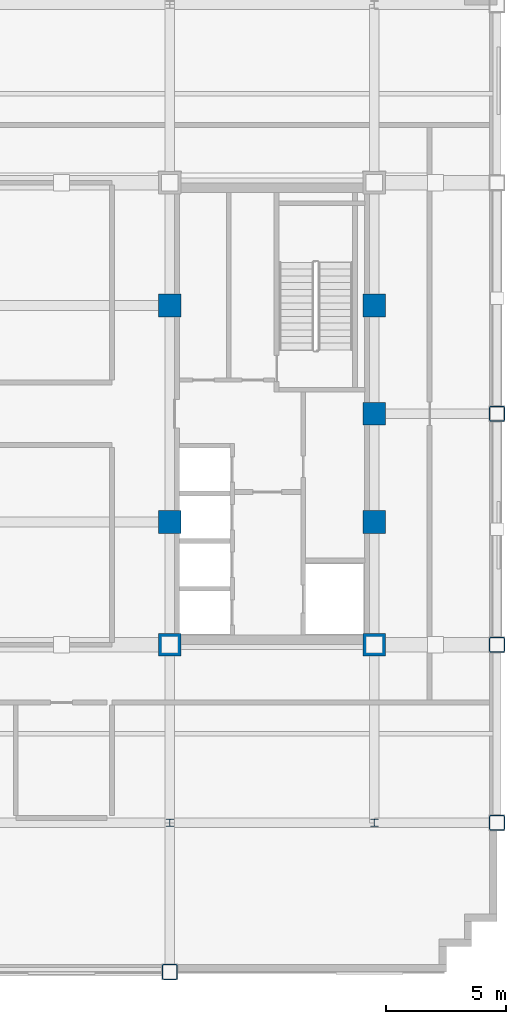
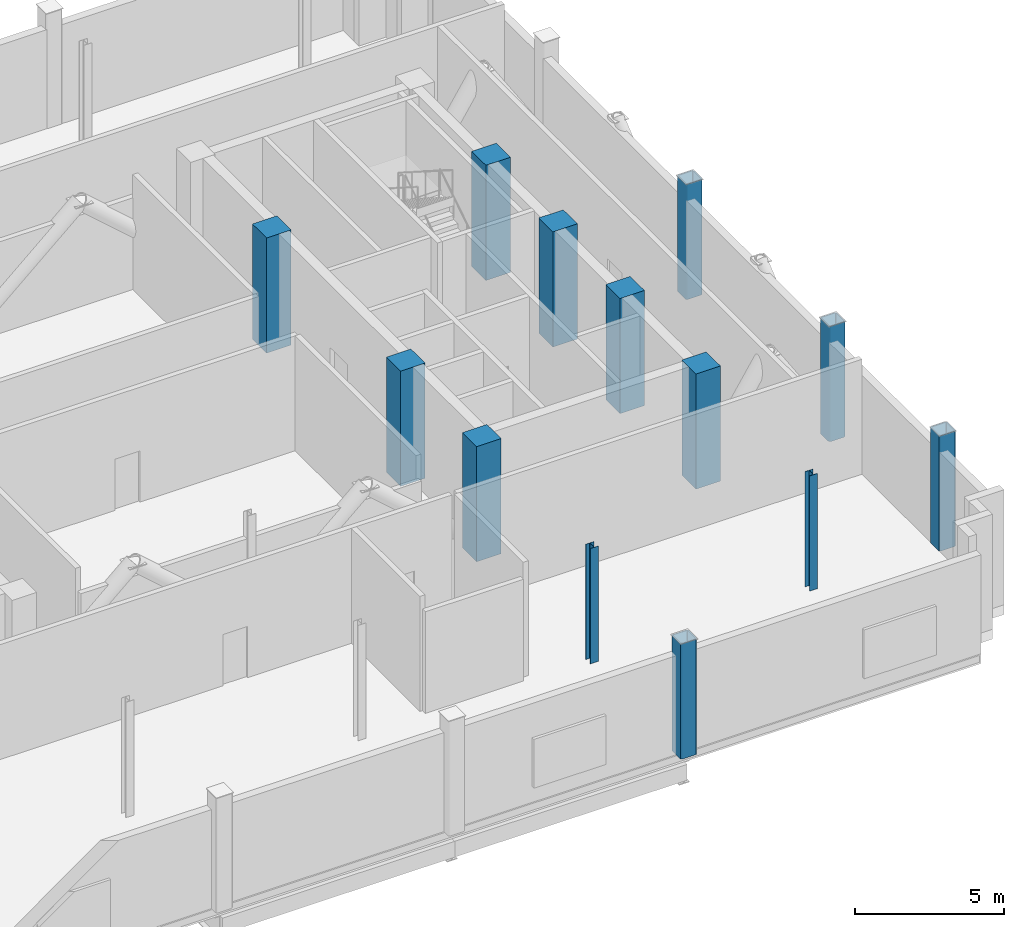
# One storey, part 2 of 13: 13 columns.
"""IFC4 building model written with IfcOpenShell, lengths in metres."""

from ifc_helpers import new_model, si_unit, direction, frame, origin, origin_2d, place, context, subcontext, project, spatial, rectangle, hollow_rectangle, i_section, extrude, material, material_profile, profile_set, type_object, element, save


model = new_model("IFC4")

# Units and contexts
model_context = context("Model", 3, precision=1e-05, world=origin(), true_north=direction((0.0, 1.0)))
body_context = subcontext(model_context, "Body", "Model", "MODEL_VIEW")
ifc_project = project(units=[si_unit("LENGTHUNIT", "METRE"), si_unit("AREAUNIT", "SQUARE_METRE"), si_unit("VOLUMEUNIT", "CUBIC_METRE"), si_unit("PLANEANGLEUNIT", "RADIAN"), si_unit("MASSUNIT", "GRAM", prefix="KILO")], contexts=[model_context])

# Site, building, storey
site_placement = place(None, origin())
site = spatial("IfcSite", under=ifc_project, at=site_placement, CompositionType="ELEMENT")
building_placement = place(site_placement, origin())
building = spatial("IfcBuilding", under=site, at=building_placement, Name="Nuvemarco Arch Tower", CompositionType="ELEMENT")
storey_placement = place(building_placement, frame((0.0, 0.0, 185.89990234375)))
storey = spatial("IfcBuildingStorey", under=building, at=storey_placement, Name="L49", CompositionType="ELEMENT", Elevation=185.89990234375)

# Columns
ifc_material_1 = material(Name="Concrete C50/60", Category="concrete")
ifc_material_profile_1 = material_profile(ifc_material_1, rectangle(XDim=0.949951171875, YDim=0.949951171875, at=origin_2d()), Name="RC-COL-950x950")
ifc_profile_set_1 = profile_set([ifc_material_profile_1], Name="Concrete C50/60")
column_type_1 = type_object("IfcColumnType", Name="COL-CORE-950", PredefinedType="COLUMN", material=ifc_profile_set_1)
for number, where, z_axis, x_axis, name in (
    (1, (9.0, -9.60009765625, 0.0), (0.0, 0.0, 1.0), (1.0, 0.0, 0.0), "L49 column CC_+9.0_-9.6"),
    (2, (9.0, -4.5, 0.0), (0.0, 0.0, 1.0), (1.0, 0.0, 0.0), "L49 column CC_+9.0_-4.5"),
    (3, (9.0, 4.5, 0.0), (0.0, 0.0, 1.0), (1.0, 0.0, 0.0), "L49 column CC_+9.0_+4.5"),
    (4, (17.5, -9.60009765625, 0.0), (0.0, 0.0, 1.0), (1.0, 0.0, 0.0), "L49 column CC_+17.5_-9.6"),
    (5, (17.5, -4.5, 0.0), (0.0, 0.0, 1.0), (1.0, 0.0, 0.0), "L49 column CC_+17.5_-4.5"),
    (6, (17.5, 4.5, 0.0), (0.0, 0.0, 1.0), (1.0, 0.0, 0.0), "L49 column CC_+17.5_+4.5"),
    (7, (17.5, 0.0, 0.0), (0.0, 0.0, 1.0), (1.0, 0.0, 0.0), "L49 column CC_+17.5_+0.0"),
):
    element("IfcColumn", number, at=place(storey_placement, frame(where, z_axis=z_axis, x_axis=x_axis)), inside=storey, type_object=column_type_1, Name=name, PredefinedType="COLUMN", context=body_context, shape_type="SweptSolid", body=[
        extrude(rectangle(XDim=0.949951171875, YDim=0.949951171875, at=origin_2d()), origin(), (0.0, 0.0, 1.0), 4.72021484375),
    ])
ifc_material_2 = material(Name="Steel S355", Category="steel")
ifc_material_profile_2 = material_profile(ifc_material_2, hollow_rectangle(XDim=0.64990234375, YDim=0.64990234375, WallThickness=0.0400390625, InnerFilletRadius=0.0400390625, OuterFilletRadius=0.080078125, at=origin_2d()), Name="SHS650x650x40")
ifc_profile_set_2 = profile_set([ifc_material_profile_2], Name="Steel S355")
column_type_2 = type_object("IfcColumnType", Name="COL-EXO-650", PredefinedType="COLUMN", material=ifc_profile_set_2)
for number, where, z_axis, x_axis, name in (
    (8, (22.60009765625, -17.0, 0.0), (0.0, 0.0, 1.0), (1.0, 0.0, 0.0), "L49 column CX_+22.6_-17.0"),
    (9, (22.60009765625, -9.60009765625, 0.0), (0.0, 0.0, 1.0), (1.0, 0.0, 0.0), "L49 column CX_+22.6_-9.6"),
    (10, (22.60009765625, 0.0, 0.0), (0.0, 0.0, 1.0), (1.0, 0.0, 0.0), "L49 column CX_+22.6_+0.0"),
    (11, (9.0, -23.199951171875, 0.0), (0.0, 0.0, 1.0), (1.0, 0.0, 0.0), "L49 column CY_+9.0_-23.2"),
):
    element("IfcColumn", number, at=place(storey_placement, frame(where, z_axis=z_axis, x_axis=x_axis)), inside=storey, type_object=column_type_2, Name=name, PredefinedType="COLUMN", context=body_context, shape_type="SweptSolid", body=[
        extrude(hollow_rectangle(XDim=0.64990234375, YDim=0.64990234375, WallThickness=0.0400390625, InnerFilletRadius=0.0400390625, OuterFilletRadius=0.080078125, at=origin_2d()), origin(), (0.0, 0.0, 1.0), 4.72021484375),
    ])
ifc_material_profile_3 = material_profile(ifc_material_2, i_section(OverallWidth=0.31005859375, OverallDepth=0.31005859375, WebThickness=0.015380859375, FlangeThickness=0.015380859375, FilletRadius=0.014892578125, at=origin_2d()), Name="HP310x110")
ifc_profile_set_3 = profile_set([ifc_material_profile_3], Name="Steel S355")
column_type_3 = type_object("IfcColumnType", Name="COL-STL-HP310", PredefinedType="COLUMN", material=ifc_profile_set_3)
for number, where, z_axis, x_axis, name in (
    (12, (9.0, -17.0, 0.0), (0.0, 0.0, 1.0), (1.0, 0.0, 0.0), "L49 column CI_+9.0_-17.0"),
    (13, (17.5, -17.0, 0.0), (0.0, 0.0, 1.0), (1.0, 0.0, 0.0), "L49 column CI_+17.5_-17.0"),
):
    element("IfcColumn", number, at=place(storey_placement, frame(where, z_axis=z_axis, x_axis=x_axis)), inside=storey, type_object=column_type_3, Name=name, PredefinedType="COLUMN", context=body_context, shape_type="SweptSolid", body=[
        extrude(i_section(OverallWidth=0.31005859375, OverallDepth=0.31005859375, WebThickness=0.015380859375, FlangeThickness=0.015380859375, FilletRadius=0.014892578125, at=origin_2d()), origin(), (0.0, 0.0, 1.0), 4.72021484375),
    ])

save(model, "model.ifc")
